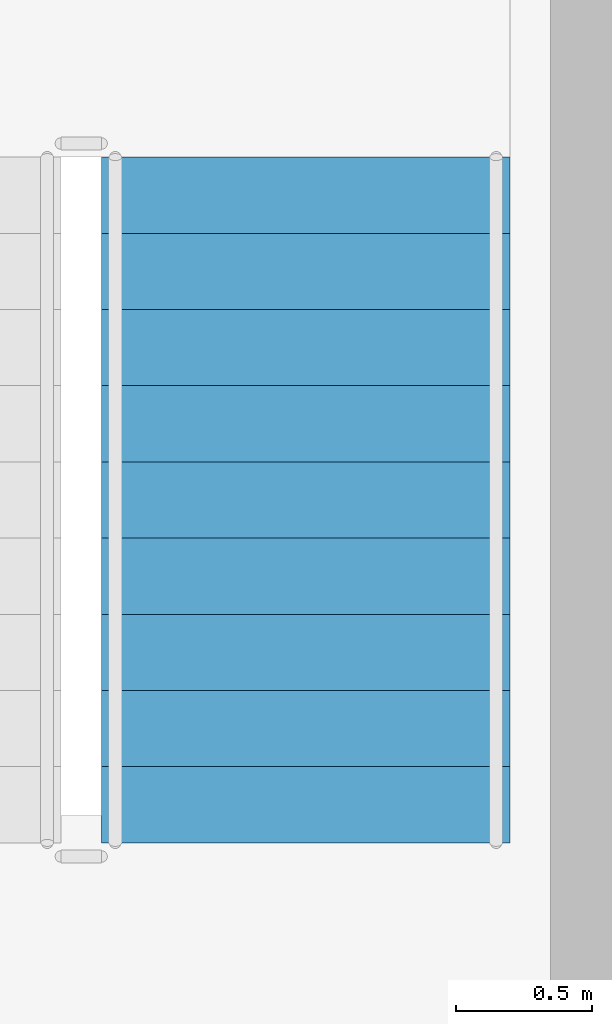
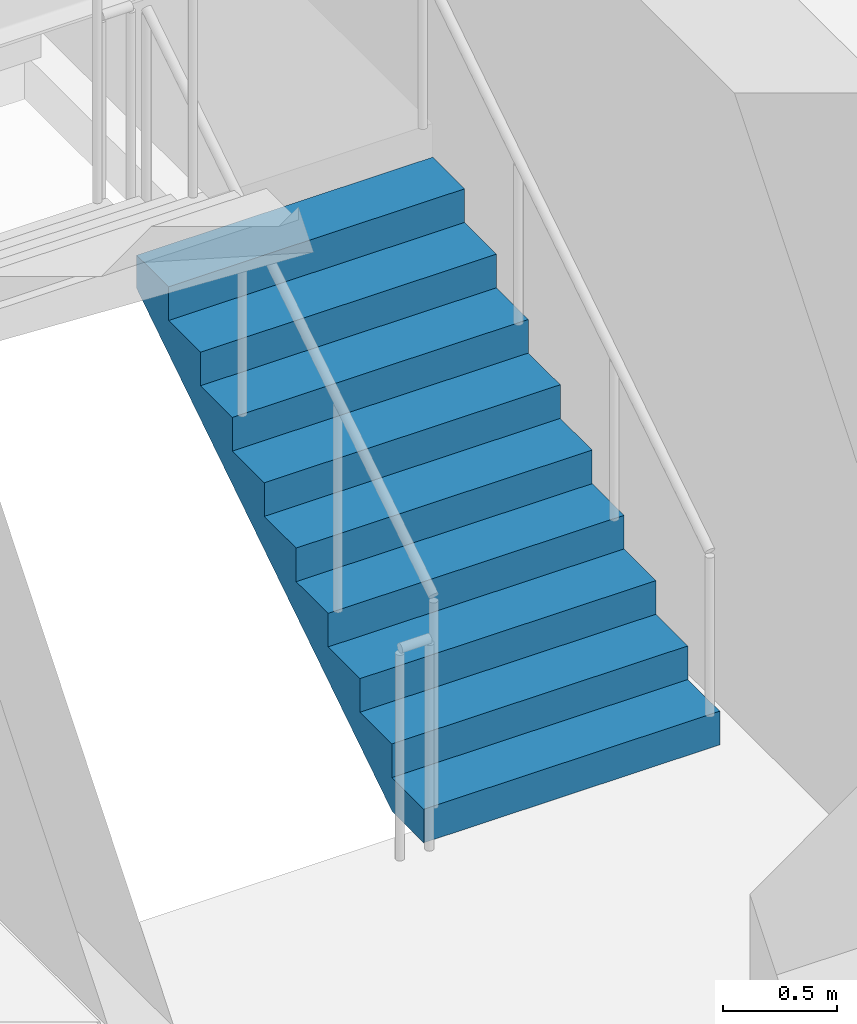
# One storey, part 15 of 18: 1 stair flight, 1 element without a shape of its own.
"""IFC4 building model written with IfcOpenShell, lengths in metres."""

import ifcopenshell
import ifcopenshell.guid

model = None  # the IFC model being written
_history = None  # IfcOwnerHistory: only IFC2X3 demands one
_inside = {}  # id of a spatial element -> (the spatial element, [elements in it])
_under = {}  # id of a project, library or spatial element -> (it, [spatial elements below it])
_declared = {}  # id of a project -> (the project, [libraries it declares])
_typed = {}  # id of a type object -> (the type object, [elements of that type])
_made_of = {}  # id of a material, layer set ... -> (it, [elements and type objects made of it])


def new_model(schema):
    """Start an empty IFC model of exactly this schema.

    Asked for "IFC4X3", IfcOpenShell would pick the latest addendum, in which some entities
    have other attributes; the version numbers below select the first issue.
    IFC2X3 requires an IfcOwnerHistory on every rooted entity: one is made here for all.
    """
    global model, _history
    if schema == "IFC4X3":
        model = ifcopenshell.file(schema_version=(4, 3, 0, 0))
    else:
        model = ifcopenshell.file(schema=schema)
    _inside.clear()
    _under.clear()
    _declared.clear()
    _typed.clear()
    _made_of.clear()
    _history = None
    if model.schema == "IFC2X3":
        org = make("IfcOrganization", Name="unknown")
        user = make(
            "IfcPersonAndOrganization",
            ThePerson=make("IfcPerson", FamilyName="unknown"),
            TheOrganization=org,
        )
        app = make(
            "IfcApplication",
            ApplicationDeveloper=org,
            Version="unknown",
            ApplicationFullName="unknown",
            ApplicationIdentifier="unknown",
        )
        _history = make(
            "IfcOwnerHistory",
            OwningUser=user,
            OwningApplication=app,
            ChangeAction="ADDED",
            CreationDate=0,
        )
    return model


def make(cls, **values):
    """One entity of the class cls with the attributes given. An attribute that is None is left unset."""
    return model.create_entity(
        cls, **{name: value for name, value in values.items() if value is not None}
    )


def rooted(cls, **values):
    """An entity with a GlobalId (a new one), such as an element, a storey or a relation."""
    return make(cls, GlobalId=ifcopenshell.guid.new(), OwnerHistory=_history, **values)


def si_unit(unit_type, name, prefix=None):
    """IfcSIUnit, for example si_unit("LENGTHUNIT", "METRE", prefix="MILLI")."""
    return make("IfcSIUnit", UnitType=unit_type, Prefix=prefix, Name=name)


def assignment(units):
    """IfcUnitAssignment: the units of a project."""
    return None if units is None else make("IfcUnitAssignment", Units=units)


def point(xyz):
    """IfcCartesianPoint."""
    return None if xyz is None else make("IfcCartesianPoint", Coordinates=xyz)


def direction(xyz):
    """IfcDirection."""
    return None if xyz is None else make("IfcDirection", DirectionRatios=xyz)


def frame(location, z_axis=None, x_axis=None):
    """IfcAxis2Placement3D, a coordinate frame: its origin and axes. An axis left out is left unset."""
    return make(
        "IfcAxis2Placement3D",
        Location=point(location),
        Axis=direction(z_axis),
        RefDirection=direction(x_axis),
    )


def origin():
    """The frame at (0, 0, 0) with its axes left unset."""
    return frame((0.0, 0.0, 0.0))


def place(relative_to, where):
    """IfcLocalPlacement: puts the frame where relative to a parent placement (None: the world)."""
    return make(
        "IfcLocalPlacement", PlacementRelTo=relative_to, RelativePlacement=where
    )


def context(
    kind, dimensions, precision=None, world=None, true_north=None, identifier=None
):
    """IfcGeometricRepresentationContext, for example the 3D "Model" context."""
    return make(
        "IfcGeometricRepresentationContext",
        ContextIdentifier=identifier,
        ContextType=kind,
        CoordinateSpaceDimension=dimensions,
        Precision=precision,
        WorldCoordinateSystem=world,
        TrueNorth=true_north,
    )


def subcontext(parent, identifier, kind, view, scale=None):
    """IfcGeometricRepresentationSubContext, for example "Body" below "Model"."""
    return make(
        "IfcGeometricRepresentationSubContext",
        ContextIdentifier=identifier,
        ContextType=kind,
        ParentContext=parent,
        TargetScale=scale,
        TargetView=view,
    )


def project(units=None, contexts=None):
    """IfcProject with its units and contexts."""
    return rooted(
        "IfcProject",
        Name="project",
        RepresentationContexts=contexts,
        UnitsInContext=assignment(units),
    )


def spatial(cls, under=None, at=None, **own):
    """A site, building, storey or space (cls), placed at a placement, below another one or the project."""
    s = rooted(cls, ObjectPlacement=at, **own)
    if under is not None:
        _under.setdefault(under.id(), (under, []))[1].append(s)
    return s


def polyline(points):
    """IfcPolyline through the points."""
    return make("IfcPolyline", Points=[point(p) for p in points])


def outline(outer, holes=None, kind="AREA"):
    """IfcArbitraryClosedProfileDef: a profile drawn as a closed curve; with holes, ...WithVoids."""
    if holes is None:
        return make("IfcArbitraryClosedProfileDef", ProfileType=kind, OuterCurve=outer)
    return make(
        "IfcArbitraryProfileDefWithVoids",
        ProfileType=kind,
        OuterCurve=outer,
        InnerCurves=holes,
    )


def extrude(swept, where, along, depth):
    """IfcExtrudedAreaSolid: the profile swept, set in the frame where, extruded along a direction by depth."""
    return make(
        "IfcExtrudedAreaSolid",
        SweptArea=swept,
        Position=where,
        ExtrudedDirection=direction(along),
        Depth=depth,
    )


def shape(context_of_items, identifier, shape_type, items):
    """IfcShapeRepresentation: the items that make up one representation, for example the "Body"."""
    return make(
        "IfcShapeRepresentation",
        ContextOfItems=context_of_items,
        RepresentationIdentifier=identifier,
        RepresentationType=shape_type,
        Items=items,
    )


def material(Name=None, Category=None):
    """IfcMaterial."""
    return make("IfcMaterial", Name=Name, Category=Category)


def made_of(thing, what):
    """Note that an element or type object is made of a material, layer set ...; save() writes the relation."""
    if what is not None:
        _made_of.setdefault(what.id(), (what, []))[1].append(thing)
    return thing


def type_object(cls, material=None, **own):
    """A type object (cls), such as IfcWallType, which elements share."""
    return made_of(rooted(cls, **own), material)


def element(
    cls,
    number,
    at=None,
    inside=None,
    cuts=None,
    type_object=None,
    material=None,
    context=None,
    identifier="Body",
    shape_type=None,
    held_by="IfcProductDefinitionShape",
    body=None,
    shapes=None,
    **own,
):
    """One element of the class cls, such as IfcWall. Its Tag is "e" and its number.

    at: its placement. inside: the storey or other place that contains it. cuts: it is an
    opening in that element (IfcRelVoidsElement). A single representation is given by context,
    identifier, shape_type and body (its items); several are given by shapes. held_by: the class
    of the entity that holds the representations. save() writes the other relations.
    """
    e = rooted(cls, Tag="e%d" % number, ObjectPlacement=at, **own)
    if body is not None:
        shapes = [shape(context, identifier, shape_type, body)]
    if shapes is not None:
        e.Representation = make(held_by, Representations=shapes)
    if inside is not None:
        _inside.setdefault(inside.id(), (inside, []))[1].append(e)
    if cuts is not None:
        rooted(
            "IfcRelVoidsElement", RelatingBuildingElement=cuts, RelatedOpeningElement=e
        )
    if type_object is not None:
        _typed.setdefault(type_object.id(), (type_object, []))[1].append(e)
    return made_of(e, material)


def aggregate(whole, parts):
    """IfcRelAggregates: a whole, such as a stair, and the parts it consists of."""
    return rooted("IfcRelAggregates", RelatingObject=whole, RelatedObjects=parts)


def save(model, path):
    """Write the relations noted so far, then the file.

    IfcRelAggregates (storeys below a building ...), IfcRelContainedInSpatialStructure (elements
    in a storey), IfcRelDefinesByType, IfcRelAssociatesMaterial and IfcRelDeclares: one each for
    every whole, place, type object, material and project.
    """
    for whole, parts in _under.values():
        aggregate(whole, parts)
    for where, things in _inside.values():
        rooted(
            "IfcRelContainedInSpatialStructure",
            RelatedElements=things,
            RelatingStructure=where,
        )
    for kind, things in _typed.values():
        rooted("IfcRelDefinesByType", RelatedObjects=things, RelatingType=kind)
    for what, things in _made_of.values():
        rooted("IfcRelAssociatesMaterial", RelatedObjects=things, RelatingMaterial=what)
    for by, libraries in _declared.values():
        rooted("IfcRelDeclares", RelatingContext=by, RelatedDefinitions=libraries)
    model.write(path)


model = new_model("IFC4")

# Units and contexts
model_context = context("Model", 3, precision=1e-05, world=origin(), true_north=direction((0.0, 1.0)))
body_context = subcontext(model_context, "Body", "Model", "MODEL_VIEW")
ifc_project = project(units=[si_unit("LENGTHUNIT", "METRE"), si_unit("AREAUNIT", "SQUARE_METRE"), si_unit("VOLUMEUNIT", "CUBIC_METRE"), si_unit("PLANEANGLEUNIT", "RADIAN"), si_unit("MASSUNIT", "GRAM", prefix="KILO")], contexts=[model_context])

# Site, building, storey
site_placement = place(None, origin())
site = spatial("IfcSite", under=ifc_project, at=site_placement, CompositionType="ELEMENT")
building_placement = place(site_placement, origin())
building = spatial("IfcBuilding", under=site, at=building_placement, Name="Trevonay Congress Spire", CompositionType="ELEMENT")
storey_placement = place(building_placement, frame((0.0, 0.0, 104.800048828125)))
storey = spatial("IfcBuildingStorey", under=building, at=storey_placement, Name="L26", CompositionType="ELEMENT", Elevation=104.800048828125)

# Stair, stair flight
ifc_material = material(Name="Concrete C40/50", Category="concrete")
stair_type = type_object("IfcStairType", Name="STR-ST-2", PredefinedType="HALF_TURN_STAIR", material=ifc_material)
stair_placement = place(storey_placement, origin())
stair = element("IfcStair", 1, at=stair_placement, inside=storey, type_object=stair_type, Name="L26 Protected Exit Stair ST-2", PredefinedType="HALF_TURN_STAIR")
stair_flight_type = type_object("IfcStairFlightType", Name="SFL-ST-2", PredefinedType="STRAIGHT", material=ifc_material)
stair_flight_placement = place(storey_placement, frame((6.0, -5.25, 0.0), z_axis=(0.0, 0.0, 1.0), x_axis=(0.0, 1.0, 0.0)))
stair_flight = element("IfcStairFlight", 2, at=stair_flight_placement, type_object=stair_flight_type, Name="ST-2 flight 1", NumberOfRisers=10, NumberOfTreads=9, PredefinedType="STRAIGHT", RiserHeight=0.18, TreadLength=0.28, context=body_context, shape_type="SweptSolid", body=[
    extrude(outline(polyline([(0.0, 0.0), (0.0, 0.179931640625), (0.280029296875, 0.179931640625), (0.280029296875, 0.360107421875), (0.56005859375, 0.360107421875), (0.56005859375, 0.5400390625), (0.840087890625, 0.5400390625), (0.840087890625, 0.719970703125), (1.1201171875, 0.719970703125), (1.1201171875, 0.89990234375), (1.39990234375, 0.89990234375), (1.39990234375, 1.080078125), (1.679931640625, 1.080078125), (1.679931640625, 1.260009765625), (1.9599609375, 1.260009765625), (1.9599609375, 1.43994140625), (2.239990234375, 1.43994140625), (2.239990234375, 1.6201171875), (2.52001953125, 1.6201171875), (2.52001953125, 1.800048828125), (2.52001953125, 1.44189453125), (0.277099609375, 0.0), (0.0, 0.0)])), frame((0.0, 0.75, 0.0), z_axis=(0.0, -1.0, 0.0), x_axis=(1.0, 0.0, 0.0)), (0.0, 0.0, 1.0), 1.5),
])
aggregate(stair, [stair_flight])

save(model, "model.ifc")
